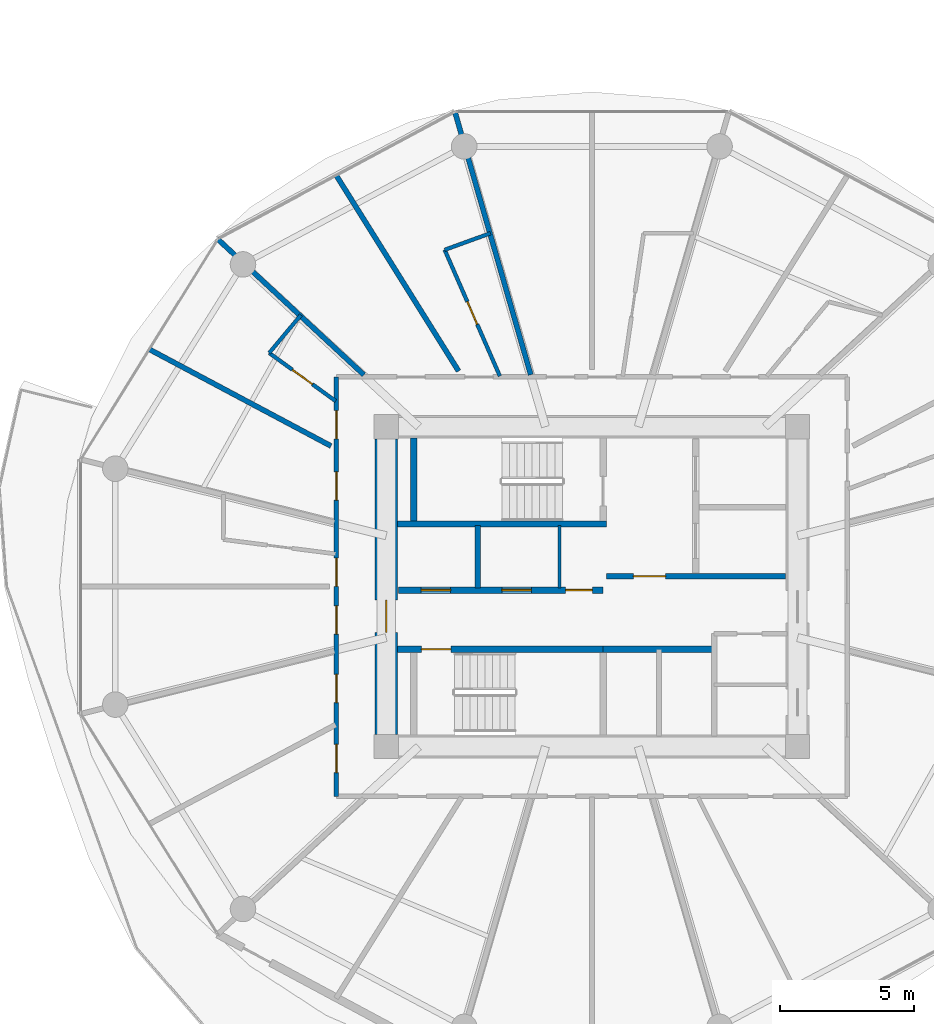
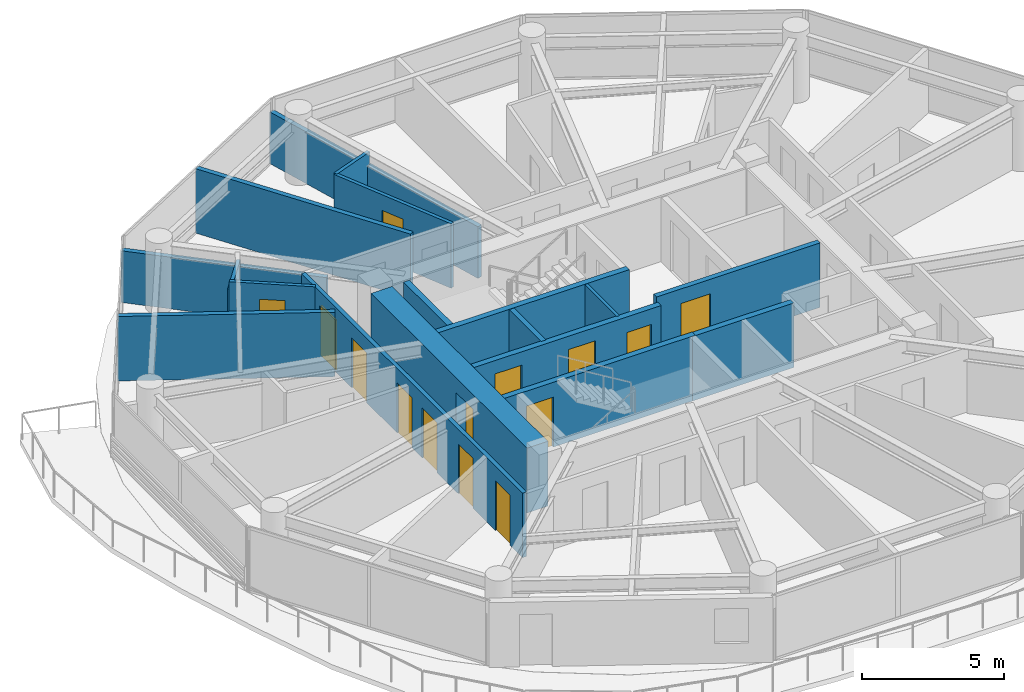
# One storey, part 17 of 28: 18 walls, 14 doors, 14 openings.
"""IFC4 building model written with IfcOpenShell, lengths in metres."""

from ifc_helpers import new_model, si_unit, direction, frame, frame_2d, origin, place, context, subcontext, project, spatial, rectangle, extrude, source, transform, mapped, material, layer, layer_set, type_object, type_shapes, element, fill, save


model = new_model("IFC4")

# Units and contexts
model_context = context("Model", 3, precision=1e-05, world=origin(), true_north=direction((0.0, 1.0)))
body_context = subcontext(model_context, "Body", "Model", "MODEL_VIEW")
ifc_project = project(units=[si_unit("LENGTHUNIT", "METRE"), si_unit("AREAUNIT", "SQUARE_METRE"), si_unit("VOLUMEUNIT", "CUBIC_METRE"), si_unit("PLANEANGLEUNIT", "RADIAN"), si_unit("MASSUNIT", "GRAM", prefix="KILO")], contexts=[model_context])

# Site, building, storey
site_placement = place(None, origin())
site = spatial("IfcSite", under=ifc_project, at=site_placement, CompositionType="ELEMENT")
building_placement = place(site_placement, origin())
building = spatial("IfcBuilding", under=site, at=building_placement, Name="Norrkilde Senior Care Towers", CompositionType="ELEMENT")
storey_placement = place(building_placement, frame((0.0, 0.0, 39.89990234375)))
storey = spatial("IfcBuildingStorey", under=building, at=storey_placement, Name="L11", CompositionType="ELEMENT", Elevation=39.89990234375)

# Wall, opening, door
ifc_material_1 = material(Name="Concrete C60/75", Category="concrete")
ifc_layer_1 = layer(ifc_material_1, 0.85009765625)
ifc_layer_set_1 = layer_set([ifc_layer_1], Name="Concrete C60/75")
wall_type_1 = type_object("IfcWallType", Name="Core Shear Wall Z1 850", PredefinedType="SHEAR", material=ifc_layer_set_1)
shared_shape_1 = source(origin(), body_context, "Body", "SweptSolid", [
    extrude(rectangle(XDim=11.0, YDim=0.85009765625, at=frame_2d((5.5, 0.0))), origin(), (0.0, 0.0, 1.0), 2.7900390625),
])
type_shapes(wall_type_1, [shared_shape_1])
wall_1_placement = place(storey_placement, frame((-35.64990234375, -5.5, 0.0), z_axis=(0.0, 0.0, 1.0), x_axis=(0.0, 1.0, 0.0)))
wall_1 = element("IfcWall", 1, at=wall_1_placement, inside=storey, type_object=wall_type_1, Name="L11 Core W West Shear Wall", PredefinedType="SHEAR", context=body_context, shape_type="MappedRepresentation", body=[
    mapped(shared_shape_1, transform((0.0, 0.0, 0.0), x_axis=(1.0, 0.0, 0.0), y_axis=(0.0, 1.0, 0.0), z_axis=(0.0, 0.0, 1.0), scale=1.0)),
])
opening_1_placement = place(wall_1_placement, frame((3.800048828125, 0.0, 0.0)))
opening_1 = element("IfcOpeningElement", 2, at=opening_1_placement, cuts=wall_1, Name="Opening D-04", PredefinedType="OPENING", context=body_context, shape_type="SweptSolid", body=[
    extrude(rectangle(XDim=1.199951171875, YDim=2.14990234375, at=frame_2d((0.60009765625, 1.074951171875))), frame((0.0, 0.43505859375, 0.0), z_axis=(0.0, -1.0, 0.0), x_axis=(1.0, 0.0, 0.0)), (0.0, 0.0, 1.0), 0.8701171875),
])
ifc_material_2 = material(Name="Galvanised Painted Steel", Category="steel")
door_type_1 = type_object("IfcDoorType", Name="Firefighting Lobby Fire Door 1200x2150", OperationType="NOTDEFINED", PredefinedType="DOOR", material=ifc_material_2)
shared_shape_2 = source(origin(), body_context, "Body", "SweptSolid", [
    extrude(rectangle(XDim=1.199951171875, YDim=2.14990234375, at=frame_2d((0.60009765625, 1.074951171875))), frame((0.0, 0.02490234375, 0.0), z_axis=(0.0, -1.0, 0.0), x_axis=(1.0, 0.0, 0.0)), (0.0, 0.0, 1.0), 0.050048828125),
])
type_shapes(door_type_1, [shared_shape_2])
door_1_placement = place(opening_1_placement, frame((1.199951171875, 0.0, 0.0), z_axis=(0.0, 0.0, 1.0), x_axis=(-1.0, 0.0, 0.0)))
door_1 = element("IfcDoor", 3, at=door_1_placement, inside=storey, type_object=door_type_1, Name="L11 Core W West Portal Door", OperationType="SINGLE_SWING_LEFT", OverallHeight=2.14990234375, OverallWidth=1.199951171875, PredefinedType="DOOR", context=body_context, shape_type="MappedRepresentation", body=[
    mapped(shared_shape_2, transform((0.0, 0.0, 0.0), x_axis=(1.0, 0.0, 0.0), y_axis=(0.0, 1.0, 0.0), z_axis=(0.0, 0.0, 1.0), scale=1.0)),
])
fill(opening_1, door_1)

# Wall
ifc_material_3 = material(Name="Concrete C45/55", Category="concrete")
ifc_layer_2 = layer(ifc_material_3, 0.239990234375)
ifc_layer_set_2 = layer_set([ifc_layer_2], Name="Concrete C45/55")
wall_type_2 = type_object("IfcWallType", Name="Shaft and Stair Enclosure Wall 240", PredefinedType="PARTITIONING", material=ifc_layer_set_2)
shared_shape_3 = source(origin(), body_context, "Body", "SweptSolid", [
    extrude(rectangle(XDim=7.76513671875, YDim=0.239990234375, at=frame_2d((3.882568359375, 0.0))), origin(), (0.0, 0.0, 1.0), 2.7900390625),
])
wall_2_placement = place(storey_placement, frame((-35.22509765625, 2.330078125, 0.0), z_axis=(0.0, 0.0, 1.0), x_axis=(1.0, 0.0, 0.0)))
element("IfcWall", 4, at=wall_2_placement, inside=storey, type_object=wall_type_2, Name="WL-INT-L11-W-ST1S", PredefinedType="PARTITIONING", context=body_context, shape_type="MappedRepresentation", body=[
    mapped(shared_shape_3, transform((0.0, 0.0, 0.0), x_axis=(1.0, 0.0, 0.0), y_axis=(0.0, 1.0, 0.0), z_axis=(0.0, 0.0, 1.0), scale=1.0)),
])

# Wall, opening, door
wall_3_placement = place(storey_placement, frame((-35.22509765625, -2.330078125, 0.0), z_axis=(0.0, 0.0, 1.0), x_axis=(1.0, 0.0, 0.0)))
wall_3 = element("IfcWall", 5, at=wall_3_placement, inside=storey, type_object=wall_type_2, Name="WL-INT-L11-W-ST2N", PredefinedType="PARTITIONING", context=body_context, shape_type="MappedRepresentation", body=[
    mapped(shared_shape_3, transform((0.0, 0.0, 0.0), x_axis=(1.0, 0.0, 0.0), y_axis=(0.0, 1.0, 0.0), z_axis=(0.0, 0.0, 1.0), scale=1.0)),
])
opening_2_placement = place(wall_3_placement, frame((0.885009765625, 0.0, 0.0)))
opening_2 = element("IfcOpeningElement", 6, at=opening_2_placement, cuts=wall_3, Name="Opening D-03", PredefinedType="OPENING", context=body_context, shape_type="SweptSolid", body=[
    extrude(rectangle(XDim=1.10009765625, YDim=2.14990234375, at=frame_2d((0.550048828125, 1.074951171875))), frame((0.0, 0.1298828125, 0.0), z_axis=(0.0, -1.0, 0.0), x_axis=(1.0, 0.0, 0.0)), (0.0, 0.0, 1.0), 0.260009765625),
])
door_type_2 = type_object("IfcDoorType", Name="Stairwell Protected Fire Door 1100x2150", OperationType="NOTDEFINED", PredefinedType="DOOR", material=ifc_material_2)
shared_shape_4 = source(origin(), body_context, "Body", "SweptSolid", [
    extrude(rectangle(XDim=1.10009765625, YDim=2.14990234375, at=frame_2d((0.550048828125, 1.074951171875))), frame((0.0, 0.02490234375, 0.0), z_axis=(0.0, -1.0, 0.0), x_axis=(1.0, 0.0, 0.0)), (0.0, 0.0, 1.0), 0.050048828125),
])
type_shapes(door_type_2, [shared_shape_4])
door_2_placement = place(opening_2_placement, frame((1.10009765625, 0.0, 0.0), z_axis=(0.0, 0.0, 1.0), x_axis=(-1.0, 0.0, 0.0)))
door_2 = element("IfcDoor", 7, at=door_2_placement, inside=storey, type_object=door_type_2, Name="L11 Stair W2 Fire Door", OperationType="SINGLE_SWING_RIGHT", OverallHeight=2.14990234375, OverallWidth=1.10009765625, PredefinedType="DOOR", context=body_context, shape_type="MappedRepresentation", body=[
    mapped(shared_shape_4, transform((0.0, 0.0, 0.0), x_axis=(1.0, 0.0, 0.0), y_axis=(0.0, 1.0, 0.0), z_axis=(0.0, 0.0, 1.0), scale=1.0)),
])
fill(opening_2, door_2)

# Wall
shared_shape_5 = source(origin(), body_context, "Body", "SweptSolid", [
    extrude(rectangle(XDim=3.074951171875, YDim=0.239990234375, at=frame_2d((1.53759765625, 0.0))), origin(), (0.0, 0.0, 1.0), 2.7900390625),
])
type_shapes(wall_type_2, [shared_shape_3, shared_shape_5])
wall_4_placement = place(storey_placement, frame((-34.6201171875, 2.449951171875, 0.0), z_axis=(0.0, 0.0, 1.0), x_axis=(0.0, 1.0, 0.0)))
element("IfcWall", 8, at=wall_4_placement, inside=storey, type_object=wall_type_2, Name="WL-INT-L11-W-ST1W", PredefinedType="PARTITIONING", context=body_context, shape_type="MappedRepresentation", body=[
    mapped(shared_shape_5, transform((0.0, 0.0, 0.0), x_axis=(1.0, 0.0, 0.0), y_axis=(0.0, 1.0, 0.0), z_axis=(0.0, 0.0, 1.0), scale=1.0)),
])

# Wall, opening, door
ifc_layer_3 = layer(ifc_material_3, 0.2099609375)
ifc_layer_set_3 = layer_set([ifc_layer_3], Name="Concrete C45/55")
wall_type_3 = type_object("IfcWallType", Name="Firefighting Lobby Wall 210", PredefinedType="PARTITIONING", material=ifc_layer_set_3)
shared_shape_6 = source(origin(), body_context, "Body", "SweptSolid", [
    extrude(rectangle(XDim=6.659912109375, YDim=0.2099609375, at=frame_2d((3.330078125, 0.0))), origin(), (0.0, 0.0, 1.0), 2.775146484375),
])
type_shapes(wall_type_3, [shared_shape_6])
wall_5_placement = place(storey_placement, frame((-27.4599609375, 0.389892578125, 0.0), z_axis=(0.0, 0.0, 1.0), x_axis=(1.0, 0.0, 0.0)))
wall_5 = element("IfcWall", 9, at=wall_5_placement, inside=storey, type_object=wall_type_3, Name="WL-INT-L11-W-FFLS", PredefinedType="PARTITIONING", context=body_context, shape_type="MappedRepresentation", body=[
    mapped(shared_shape_6, transform((0.0, 0.0, 0.0), x_axis=(1.0, 0.0, 0.0), y_axis=(0.0, 1.0, 0.0), z_axis=(0.0, 0.0, 1.0), scale=1.0)),
])
opening_3_placement = place(wall_5_placement, frame((1.0, 0.0, 0.0)))
opening_3 = element("IfcOpeningElement", 10, at=opening_3_placement, cuts=wall_5, Name="Opening D-04", PredefinedType="OPENING", context=body_context, shape_type="SweptSolid", body=[
    extrude(rectangle(XDim=1.199951171875, YDim=2.14990234375, at=frame_2d((0.60009765625, 1.074951171875))), frame((0.0, 0.114990234375, 0.0), z_axis=(0.0, -1.0, 0.0), x_axis=(1.0, 0.0, 0.0)), (0.0, 0.0, 1.0), 0.22998046875),
])
door_3_placement = place(opening_3_placement, frame((1.199951171875, 0.0, 0.0), z_axis=(0.0, 0.0, 1.0), x_axis=(-1.0, 0.0, 0.0)))
door_3 = element("IfcDoor", 11, at=door_3_placement, inside=storey, type_object=door_type_1, Name="L11 Firefighting Lobby W Door", OperationType="SINGLE_SWING_LEFT", OverallHeight=2.14990234375, OverallWidth=1.199951171875, PredefinedType="DOOR", context=body_context, shape_type="MappedRepresentation", body=[
    mapped(shared_shape_2, transform((0.0, 0.0, 0.0), x_axis=(1.0, 0.0, 0.0), y_axis=(0.0, 1.0, 0.0), z_axis=(0.0, 0.0, 1.0), scale=1.0)),
])
fill(opening_3, door_3)

# Wall, openings, doors
ifc_layer_4 = layer(ifc_material_3, 0.239990234375)
ifc_layer_set_4 = layer_set([ifc_layer_4], Name="Concrete C45/55")
wall_type_4 = type_object("IfcWallType", Name="Lift and Plant Rated Enclosure Partition 240", PredefinedType="PARTITIONING", material=ifc_layer_set_4)
shared_shape_7 = source(origin(), body_context, "Body", "SweptSolid", [
    extrude(rectangle(XDim=7.619873046875, YDim=0.239990234375, at=frame_2d((3.81005859375, 0.0))), origin(), (0.0, 0.0, 1.0), 2.775146484375),
])
wall_6_placement = place(storey_placement, frame((-35.199951171875, -0.1298828125, 0.0), z_axis=(0.0, 0.0, 1.0), x_axis=(1.0, 0.0, 0.0)))
wall_6 = element("IfcWall", 12, at=wall_6_placement, inside=storey, type_object=wall_type_4, Name="WL-INT-L11-W-PKAS", PredefinedType="PARTITIONING", context=body_context, shape_type="MappedRepresentation", body=[
    mapped(shared_shape_7, transform((0.0, 0.0, 0.0), x_axis=(1.0, 0.0, 0.0), y_axis=(0.0, 1.0, 0.0), z_axis=(0.0, 0.0, 1.0), scale=1.0)),
])
opening_4_placement = place(wall_6_placement, frame((6.219970703125, 0.0, 0.0)))
opening_4 = element("IfcOpeningElement", 13, at=opening_4_placement, cuts=wall_6, Name="Opening D-10", PredefinedType="OPENING", context=body_context, shape_type="SweptSolid", body=[
    extrude(rectangle(XDim=1.0, YDim=2.10009765625, at=frame_2d((0.5, 1.050048828125))), frame((0.0, 0.1298828125, 0.0), z_axis=(0.0, -1.0, 0.0), x_axis=(1.0, 0.0, 0.0)), (0.0, 0.0, 1.0), 0.260009765625),
])
opening_5_placement = place(wall_6_placement, frame((0.85009765625, 0.0, 0.0)))
opening_5 = element("IfcOpeningElement", 14, at=opening_5_placement, cuts=wall_6, Name="Opening LD-01", PredefinedType="OPENING", context=body_context, shape_type="SweptSolid", body=[
    extrude(rectangle(XDim=1.10009765625, YDim=2.199951171875, at=frame_2d((0.550048828125, 1.10009765625))), frame((0.0, 0.1298828125, 0.0), z_axis=(0.0, -1.0, 0.0), x_axis=(1.0, 0.0, 0.0)), (0.0, 0.0, 1.0), 0.260009765625),
])
opening_6_placement = place(wall_6_placement, frame((3.85009765625, 0.0, 0.0)))
opening_6 = element("IfcOpeningElement", 15, at=opening_6_placement, cuts=wall_6, Name="Opening LD-01", PredefinedType="OPENING", context=body_context, shape_type="SweptSolid", body=[
    extrude(rectangle(XDim=1.10009765625, YDim=2.199951171875, at=frame_2d((0.550048828125, 1.10009765625))), frame((0.0, 0.1298828125, 0.0), z_axis=(0.0, -1.0, 0.0), x_axis=(1.0, 0.0, 0.0)), (0.0, 0.0, 1.0), 0.260009765625),
])
door_type_3 = type_object("IfcDoorType", Name="Plant and Riser Rated Door 1000x2100", OperationType="NOTDEFINED", PredefinedType="DOOR", material=ifc_material_2)
shared_shape_8 = source(origin(), body_context, "Body", "SweptSolid", [
    extrude(rectangle(XDim=1.0, YDim=2.10009765625, at=frame_2d((0.5, 1.050048828125))), frame((0.0, 0.02490234375, 0.0), z_axis=(0.0, -1.0, 0.0), x_axis=(1.0, 0.0, 0.0)), (0.0, 0.0, 1.0), 0.050048828125),
])
type_shapes(door_type_3, [shared_shape_8])
door_4_placement = place(opening_4_placement, frame((1.0, 0.0, 0.0), z_axis=(0.0, 0.0, 1.0), x_axis=(-1.0, 0.0, 0.0)))
door_4 = element("IfcDoor", 16, at=door_4_placement, inside=storey, type_object=door_type_3, Name="L11 Electrical Riser W Door", OperationType="SINGLE_SWING_LEFT", OverallHeight=2.10009765625, OverallWidth=1.0, PredefinedType="DOOR", context=body_context, shape_type="MappedRepresentation", body=[
    mapped(shared_shape_8, transform((0.0, 0.0, 0.0), x_axis=(1.0, 0.0, 0.0), y_axis=(0.0, 1.0, 0.0), z_axis=(0.0, 0.0, 1.0), scale=1.0)),
])
fill(opening_4, door_4)
ifc_material_4 = material(Name="Stainless Steel", Category="steel")
door_type_4 = type_object("IfcDoorType", Name="Lift Landing Sliding Door 1100x2200", OperationType="NOTDEFINED", PredefinedType="DOOR", material=ifc_material_4)
shared_shape_9 = source(origin(), body_context, "Body", "SweptSolid", [
    extrude(rectangle(XDim=1.10009765625, YDim=2.199951171875, at=frame_2d((0.550048828125, 1.10009765625))), frame((0.0, 0.02490234375, 0.0), z_axis=(0.0, -1.0, 0.0), x_axis=(1.0, 0.0, 0.0)), (0.0, 0.0, 1.0), 0.050048828125),
])
type_shapes(door_type_4, [shared_shape_9])
door_5_placement = place(opening_5_placement, origin())
door_5 = element("IfcDoor", 17, at=door_5_placement, inside=storey, type_object=door_type_4, Name="L11 Passenger Lift W1 Landing Door", OperationType="SLIDING_TO_LEFT", OverallHeight=2.199951171875, OverallWidth=1.10009765625, PredefinedType="DOOR", context=body_context, shape_type="MappedRepresentation", body=[
    mapped(shared_shape_9, transform((0.0, 0.0, 0.0), x_axis=(1.0, 0.0, 0.0), y_axis=(0.0, 1.0, 0.0), z_axis=(0.0, 0.0, 1.0), scale=1.0)),
])
fill(opening_5, door_5)
door_6_placement = place(opening_6_placement, origin())
door_6 = element("IfcDoor", 18, at=door_6_placement, inside=storey, type_object=door_type_4, Name="L11 Passenger Lift W2 Landing Door", OperationType="SLIDING_TO_RIGHT", OverallHeight=2.199951171875, OverallWidth=1.10009765625, PredefinedType="DOOR", context=body_context, shape_type="MappedRepresentation", body=[
    mapped(shared_shape_9, transform((0.0, 0.0, 0.0), x_axis=(1.0, 0.0, 0.0), y_axis=(0.0, 1.0, 0.0), z_axis=(0.0, 0.0, 1.0), scale=1.0)),
])
fill(opening_6, door_6)

# Walls
ifc_material_5 = material(Name="Gypsum Acoustic Board")
ifc_layer_5 = layer(ifc_material_5, 0.114990234375)
ifc_layer_set_5 = layer_set([ifc_layer_5], Name="Gypsum Acoustic Board")
wall_type_5 = type_object("IfcWallType", Name="Internal Room Partition 115", PredefinedType="PARTITIONING", material=ifc_layer_set_5)
shared_shape_10 = source(origin(), body_context, "Body", "SweptSolid", [
    extrude(rectangle(XDim=2.330078125, YDim=0.114990234375, at=frame_2d((1.1650390625, 0.0))), origin(), (0.0, 0.0, 1.0), 2.775146484375),
])
type_shapes(wall_type_5, [shared_shape_10])
wall_7_placement = place(storey_placement, frame((-29.2099609375, -0.050048828125, 0.0), z_axis=(0.0, 0.0, 1.0), x_axis=(0.0, 1.0, 0.0)))
element("IfcWall", 19, at=wall_7_placement, inside=storey, type_object=wall_type_5, Name="WL-INT-L11-W-RISW", PredefinedType="PARTITIONING", context=body_context, shape_type="MappedRepresentation", body=[
    mapped(shared_shape_10, transform((0.0, 0.0, 0.0), x_axis=(1.0, 0.0, 0.0), y_axis=(0.0, 1.0, 0.0), z_axis=(0.0, 0.0, 1.0), scale=1.0)),
])
ifc_layer_6 = layer(ifc_material_3, 0.199951171875)
ifc_layer_set_6 = layer_set([ifc_layer_6], Name="Concrete C45/55")
wall_type_6 = type_object("IfcWallType", Name="Shaft Division and Plant Partition 200", PredefinedType="PARTITIONING", material=ifc_layer_set_6)
shared_shape_11 = source(origin(), body_context, "Body", "SweptSolid", [
    extrude(rectangle(XDim=2.330078125, YDim=0.199951171875, at=frame_2d((1.1650390625, 0.0))), origin(), (0.0, 0.0, 1.0), 2.775146484375),
])
type_shapes(wall_type_6, [shared_shape_11])
wall_8_placement = place(storey_placement, frame((-32.25, -0.050048828125, 0.0), z_axis=(0.0, 0.0, 1.0), x_axis=(0.0, 1.0, 0.0)))
element("IfcWall", 20, at=wall_8_placement, inside=storey, type_object=wall_type_6, Name="WL-INT-L11-W-PL12", PredefinedType="PARTITIONING", context=body_context, shape_type="MappedRepresentation", body=[
    mapped(shared_shape_11, transform((0.0, 0.0, 0.0), x_axis=(1.0, 0.0, 0.0), y_axis=(0.0, 1.0, 0.0), z_axis=(0.0, 0.0, 1.0), scale=1.0)),
])
shared_shape_12 = source(origin(), body_context, "Body", "SweptSolid", [
    extrude(rectangle(XDim=4.130126953125, YDim=0.239990234375, at=frame_2d((2.06494140625, 0.0))), origin(), (0.0, 0.0, 1.0), 2.775146484375),
])
type_shapes(wall_type_4, [shared_shape_7, shared_shape_12])
wall_9_placement = place(storey_placement, frame((-27.580078125, -2.330078125, 0.0), z_axis=(0.0, 0.0, 1.0), x_axis=(1.0, 0.0, 0.0)))
element("IfcWall", 21, at=wall_9_placement, inside=storey, type_object=wall_type_4, Name="WL-INT-L11-W-PKBN", PredefinedType="PARTITIONING", context=body_context, shape_type="MappedRepresentation", body=[
    mapped(shared_shape_12, transform((0.0, 0.0, 0.0), x_axis=(1.0, 0.0, 0.0), y_axis=(0.0, 1.0, 0.0), z_axis=(0.0, 0.0, 1.0), scale=1.0)),
])

# Wall, openings, doors
ifc_layer_7 = layer(ifc_material_5, 0.1650390625)
ifc_layer_set_7 = layer_set([ifc_layer_7], Name="Gypsum Acoustic Board")
wall_type_7 = type_object("IfcWallType", Name="Corridor Rated Partition 165", PredefinedType="PARTITIONING", material=ifc_layer_set_7)
shared_shape_13 = source(origin(), body_context, "Body", "SweptSolid", [
    extrude(rectangle(XDim=15.60009765625, YDim=0.1650390625, at=frame_2d((7.800048828125, 0.0))), origin(), (0.0, 0.0, 1.0), 2.775146484375),
])
type_shapes(wall_type_7, [shared_shape_13])
wall_10_placement = place(storey_placement, frame((-37.5, -7.800048828125, 0.0), z_axis=(0.0, 0.0, 1.0), x_axis=(0.0, 1.0, 0.0)))
wall_10 = element("IfcWall", 22, at=wall_10_placement, inside=storey, type_object=wall_type_7, Name="WL-INT-L11-W-CRW-W-0", PredefinedType="PARTITIONING", context=body_context, shape_type="MappedRepresentation", body=[
    mapped(shared_shape_13, transform((0.0, 0.0, 0.0), x_axis=(1.0, 0.0, 0.0), y_axis=(0.0, 1.0, 0.0), z_axis=(0.0, 0.0, 1.0), scale=1.0)),
])
opening_7_placement = place(wall_10_placement, frame((13.293212890625, 0.0, 0.0)))
opening_7 = element("IfcOpeningElement", 23, at=opening_7_placement, cuts=wall_10, Name="Opening D-06", PredefinedType="OPENING", context=body_context, shape_type="SweptSolid", body=[
    extrude(rectangle(XDim=1.050048828125, YDim=2.14990234375, at=frame_2d((0.52490234375, 1.074951171875))), frame((0.0, 0.092529296875, 0.0), z_axis=(0.0, -1.0, 0.0), x_axis=(1.0, 0.0, 0.0)), (0.0, 0.0, 1.0), 0.18505859375),
])
opening_8_placement = place(wall_10_placement, frame((11.017822265625, 0.0, 0.0)))
opening_8 = element("IfcOpeningElement", 24, at=opening_8_placement, cuts=wall_10, Name="Opening D-06", PredefinedType="OPENING", context=body_context, shape_type="SweptSolid", body=[
    extrude(rectangle(XDim=1.050048828125, YDim=2.14990234375, at=frame_2d((0.52490234375, 1.074951171875))), frame((0.0, 0.092529296875, 0.0), z_axis=(0.0, -1.0, 0.0), x_axis=(1.0, 0.0, 0.0)), (0.0, 0.0, 1.0), 0.18505859375),
])
opening_9_placement = place(wall_10_placement, frame((7.811767578125, 0.0, 0.0)))
opening_9 = element("IfcOpeningElement", 25, at=opening_9_placement, cuts=wall_10, Name="Opening D-06", PredefinedType="OPENING", context=body_context, shape_type="SweptSolid", body=[
    extrude(rectangle(XDim=1.050048828125, YDim=2.14990234375, at=frame_2d((0.52490234375, 1.074951171875))), frame((0.0, 0.092529296875, 0.0), z_axis=(0.0, -1.0, 0.0), x_axis=(1.0, 0.0, 0.0)), (0.0, 0.0, 1.0), 0.18505859375),
])
opening_10_placement = place(wall_10_placement, frame((6.03466796875, 0.0, 0.0)))
opening_10 = element("IfcOpeningElement", 26, at=opening_10_placement, cuts=wall_10, Name="Opening D-06", PredefinedType="OPENING", context=body_context, shape_type="SweptSolid", body=[
    extrude(rectangle(XDim=1.050048828125, YDim=2.14990234375, at=frame_2d((0.52490234375, 1.074951171875))), frame((0.0, 0.092529296875, 0.0), z_axis=(0.0, -1.0, 0.0), x_axis=(1.0, 0.0, 0.0)), (0.0, 0.0, 1.0), 0.18505859375),
])
opening_11_placement = place(wall_10_placement, frame((3.489013671875, 0.0, 0.0)))
opening_11 = element("IfcOpeningElement", 27, at=opening_11_placement, cuts=wall_10, Name="Opening D-06", PredefinedType="OPENING", context=body_context, shape_type="SweptSolid", body=[
    extrude(rectangle(XDim=1.050048828125, YDim=2.14990234375, at=frame_2d((0.52490234375, 1.074951171875))), frame((0.0, 0.092529296875, 0.0), z_axis=(0.0, -1.0, 0.0), x_axis=(1.0, 0.0, 0.0)), (0.0, 0.0, 1.0), 0.18505859375),
])
opening_12_placement = place(wall_10_placement, frame((0.881591796875, 0.0, 0.0)))
opening_12 = element("IfcOpeningElement", 28, at=opening_12_placement, cuts=wall_10, Name="Opening D-06", PredefinedType="OPENING", context=body_context, shape_type="SweptSolid", body=[
    extrude(rectangle(XDim=1.050048828125, YDim=2.14990234375, at=frame_2d((0.52490234375, 1.074951171875))), frame((0.0, 0.092529296875, 0.0), z_axis=(0.0, -1.0, 0.0), x_axis=(1.0, 0.0, 0.0)), (0.0, 0.0, 1.0), 0.18505859375),
])
ifc_material_6 = material(Name="Nordic Ash Timber", Category="wood")
door_type_5 = type_object("IfcDoorType", Name="Apartment Entrance Fire Door 1050x2150", OperationType="NOTDEFINED", PredefinedType="DOOR", material=ifc_material_6)
shared_shape_14 = source(origin(), body_context, "Body", "SweptSolid", [
    extrude(rectangle(XDim=1.050048828125, YDim=2.14990234375, at=frame_2d((0.52490234375, 1.074951171875))), frame((0.0, 0.02490234375, 0.0), z_axis=(0.0, -1.0, 0.0), x_axis=(1.0, 0.0, 0.0)), (0.0, 0.0, 1.0), 0.050048828125),
])
type_shapes(door_type_5, [shared_shape_14])
door_7_placement = place(opening_7_placement, frame((1.050048828125, 0.0, 0.0), z_axis=(0.0, 0.0, 1.0), x_axis=(-1.0, 0.0, 0.0)))
door_7 = element("IfcDoor", 29, at=door_7_placement, inside=storey, type_object=door_type_5, Name="L11 Care Suite 1104A Entrance Door", OperationType="SINGLE_SWING_RIGHT", OverallHeight=2.14990234375, OverallWidth=1.050048828125, PredefinedType="DOOR", context=body_context, shape_type="MappedRepresentation", body=[
    mapped(shared_shape_14, transform((0.0, 0.0, 0.0), x_axis=(1.0, 0.0, 0.0), y_axis=(0.0, 1.0, 0.0), z_axis=(0.0, 0.0, 1.0), scale=1.0)),
])
fill(opening_7, door_7)
door_8_placement = place(opening_8_placement, frame((1.050048828125, 0.0, 0.0), z_axis=(0.0, 0.0, 1.0), x_axis=(-1.0, 0.0, 0.0)))
door_8 = element("IfcDoor", 30, at=door_8_placement, inside=storey, type_object=door_type_5, Name="L11 Therapy Day Lounge 04 Door", OperationType="SINGLE_SWING_RIGHT", OverallHeight=2.14990234375, OverallWidth=1.050048828125, PredefinedType="DOOR", context=body_context, shape_type="MappedRepresentation", body=[
    mapped(shared_shape_14, transform((0.0, 0.0, 0.0), x_axis=(1.0, 0.0, 0.0), y_axis=(0.0, 1.0, 0.0), z_axis=(0.0, 0.0, 1.0), scale=1.0)),
])
fill(opening_8, door_8)
door_9_placement = place(opening_9_placement, frame((1.050048828125, 0.0, 0.0), z_axis=(0.0, 0.0, 1.0), x_axis=(-1.0, 0.0, 0.0)))
door_9 = element("IfcDoor", 31, at=door_9_placement, inside=storey, type_object=door_type_5, Name="L11 Care Suite 1105A Entrance Door", OperationType="SINGLE_SWING_LEFT", OverallHeight=2.14990234375, OverallWidth=1.050048828125, PredefinedType="DOOR", context=body_context, shape_type="MappedRepresentation", body=[
    mapped(shared_shape_14, transform((0.0, 0.0, 0.0), x_axis=(1.0, 0.0, 0.0), y_axis=(0.0, 1.0, 0.0), z_axis=(0.0, 0.0, 1.0), scale=1.0)),
])
fill(opening_9, door_9)
door_10_placement = place(opening_10_placement, frame((1.050048828125, 0.0, 0.0), z_axis=(0.0, 0.0, 1.0), x_axis=(-1.0, 0.0, 0.0)))
door_10 = element("IfcDoor", 32, at=door_10_placement, inside=storey, type_object=door_type_5, Name="L11 Therapy Day Lounge 05 Door", OperationType="SINGLE_SWING_LEFT", OverallHeight=2.14990234375, OverallWidth=1.050048828125, PredefinedType="DOOR", context=body_context, shape_type="MappedRepresentation", body=[
    mapped(shared_shape_14, transform((0.0, 0.0, 0.0), x_axis=(1.0, 0.0, 0.0), y_axis=(0.0, 1.0, 0.0), z_axis=(0.0, 0.0, 1.0), scale=1.0)),
])
fill(opening_10, door_10)
door_11_placement = place(opening_11_placement, frame((1.050048828125, 0.0, 0.0), z_axis=(0.0, 0.0, 1.0), x_axis=(-1.0, 0.0, 0.0)))
door_11 = element("IfcDoor", 33, at=door_11_placement, inside=storey, type_object=door_type_5, Name="L11 Physiotherapy Clinic 6A Door", OperationType="SINGLE_SWING_LEFT", OverallHeight=2.14990234375, OverallWidth=1.050048828125, PredefinedType="DOOR", context=body_context, shape_type="MappedRepresentation", body=[
    mapped(shared_shape_14, transform((0.0, 0.0, 0.0), x_axis=(1.0, 0.0, 0.0), y_axis=(0.0, 1.0, 0.0), z_axis=(0.0, 0.0, 1.0), scale=1.0)),
])
fill(opening_11, door_11)
door_12_placement = place(opening_12_placement, frame((1.050048828125, 0.0, 0.0), z_axis=(0.0, 0.0, 1.0), x_axis=(-1.0, 0.0, 0.0)))
door_12 = element("IfcDoor", 34, at=door_12_placement, inside=storey, type_object=door_type_5, Name="L11 Assessment Clinic 6B Door", OperationType="SINGLE_SWING_RIGHT", OverallHeight=2.14990234375, OverallWidth=1.050048828125, PredefinedType="DOOR", context=body_context, shape_type="MappedRepresentation", body=[
    mapped(shared_shape_14, transform((0.0, 0.0, 0.0), x_axis=(1.0, 0.0, 0.0), y_axis=(0.0, 1.0, 0.0), z_axis=(0.0, 0.0, 1.0), scale=1.0)),
])
fill(opening_12, door_12)

# Walls
ifc_layer_8 = layer(ifc_material_5, 0.18994140625)
ifc_layer_set_8 = layer_set([ifc_layer_8], Name="Gypsum Acoustic Board")
wall_type_8 = type_object("IfcWallType", Name="Unit Demising Acoustic Wall 190", PredefinedType="PARTITIONING", material=ifc_layer_set_8)
shared_shape_15 = source(origin(), body_context, "Body", "SweptSolid", [
    extrude(rectangle(XDim=7.4345703125, YDim=0.18994140625, at=frame_2d((3.71728515625, 0.0))), origin(), (0.0, 0.0, 1.0), 2.22509765625),
])
wall_11_placement = place(storey_placement, frame((-36.48291015625, 7.8798828125, 0.0), z_axis=(0.0, 0.0, 1.0), x_axis=(-0.732651956848, 0.680603489652, 0.0)))
element("IfcWall", 35, at=wall_11_placement, inside=storey, type_object=wall_type_8, Name="WL-INT-L11-W-DEM-04-0", PredefinedType="PARTITIONING", context=body_context, shape_type="MappedRepresentation", body=[
    mapped(shared_shape_15, transform((0.0, 0.0, 0.0), x_axis=(1.0, 0.0, 0.0), y_axis=(0.0, 1.0, 0.0), z_axis=(0.0, 0.0, 1.0), scale=1.0)),
])
shared_shape_16 = source(origin(), body_context, "Body", "SweptSolid", [
    extrude(rectangle(XDim=10.196044921875, YDim=0.18994140625, at=frame_2d((5.09814453125, 0.0))), origin(), (0.0, 0.0, 1.0), 2.22509765625),
])
wall_12_placement = place(storey_placement, frame((-30.27294921875, 7.8798828125, 0.0), z_axis=(0.0, 0.0, 1.0), x_axis=(-0.277136420347, 0.960830580549, 0.0)))
element("IfcWall", 36, at=wall_12_placement, inside=storey, type_object=wall_type_8, Name="WL-INT-L11-W-DEM-03-0", PredefinedType="PARTITIONING", context=body_context, shape_type="MappedRepresentation", body=[
    mapped(shared_shape_16, transform((0.0, 0.0, 0.0), x_axis=(1.0, 0.0, 0.0), y_axis=(0.0, 1.0, 0.0), z_axis=(0.0, 0.0, 1.0), scale=1.0)),
])
shared_shape_17 = source(origin(), body_context, "Body", "SweptSolid", [
    extrude(rectangle(XDim=8.59814453125, YDim=0.18994140625, at=frame_2d((4.299072265625, 0.0))), origin(), (0.0, 0.0, 1.0), 2.775146484375),
])
wall_13_placement = place(storey_placement, frame((-32.95703125, 8.017333984375, 0.0), z_axis=(0.0, 0.0, 1.0), x_axis=(-0.530039776395, 0.847972779893, 0.0)))
element("IfcWall", 37, at=wall_13_placement, inside=storey, type_object=wall_type_8, Name="WL-INT-L11-W-CMID-03", PredefinedType="PARTITIONING", context=body_context, shape_type="MappedRepresentation", body=[
    mapped(shared_shape_17, transform((0.0, 0.0, 0.0), x_axis=(1.0, 0.0, 0.0), y_axis=(0.0, 1.0, 0.0), z_axis=(0.0, 0.0, 1.0), scale=1.0)),
])
shared_shape_18 = source(origin(), body_context, "Body", "SweptSolid", [
    extrude(rectangle(XDim=7.6767578125, YDim=0.18994140625, at=frame_2d((3.83837890625, 0.0))), origin(), (0.0, 0.0, 1.0), 2.775146484375),
])
type_shapes(wall_type_8, [shared_shape_15, shared_shape_16, shared_shape_17, shared_shape_18])
wall_14_placement = place(storey_placement, frame((-37.703125, 5.23095703125, 0.0), z_axis=(0.0, 0.0, 1.0), x_axis=(-0.882725057546, 0.469889851753, 0.0)))
element("IfcWall", 38, at=wall_14_placement, inside=storey, type_object=wall_type_8, Name="WL-INT-L11-W-CMID-04", PredefinedType="PARTITIONING", context=body_context, shape_type="MappedRepresentation", body=[
    mapped(shared_shape_18, transform((0.0, 0.0, 0.0), x_axis=(1.0, 0.0, 0.0), y_axis=(0.0, 1.0, 0.0), z_axis=(0.0, 0.0, 1.0), scale=1.0)),
])

# Wall, opening, door
ifc_layer_9 = layer(ifc_material_5, 0.139892578125)
ifc_layer_set_9 = layer_set([ifc_layer_9], Name="Gypsum Acoustic Board")
wall_type_9 = type_object("IfcWallType", Name="En-suite Wet Room Wall 140", PredefinedType="PARTITIONING", material=ifc_layer_set_9)
shared_shape_19 = source(origin(), body_context, "Body", "SweptSolid", [
    extrude(rectangle(XDim=5.125732421875, YDim=0.139892578125, at=frame_2d((2.56298828125, 0.0))), origin(), (0.0, 0.0, 1.0), 2.775146484375),
])
wall_15_placement = place(storey_placement, frame((-31.421875, 7.830078125, 0.0), z_axis=(0.0, 0.0, 1.0), x_axis=(-0.400473994842, 0.916308124735, 0.0)))
wall_15 = element("IfcWall", 39, at=wall_15_placement, inside=storey, type_object=wall_type_9, Name="WL-INT-L11-W-ES-03A", PredefinedType="PARTITIONING", context=body_context, shape_type="MappedRepresentation", body=[
    mapped(shared_shape_19, transform((0.0, 0.0, 0.0), x_axis=(1.0, 0.0, 0.0), y_axis=(0.0, 1.0, 0.0), z_axis=(0.0, 0.0, 1.0), scale=1.0)),
])
opening_13_placement = place(wall_15_placement, frame((2.102783203125, 0.0, 0.0)))
opening_13 = element("IfcOpeningElement", 40, at=opening_13_placement, cuts=wall_15, Name="Opening D-08", PredefinedType="OPENING", context=body_context, shape_type="SweptSolid", body=[
    extrude(rectangle(XDim=0.919921875, YDim=2.10009765625, at=frame_2d((0.4599609375, 1.050048828125))), frame((0.0, 0.079833984375, 0.0), z_axis=(0.0, -1.0, 0.0), x_axis=(1.0, 0.0, 0.0)), (0.0, 0.0, 1.0), 0.159912109375),
])
door_type_6 = type_object("IfcDoorType", Name="Accessible Wet Room Door 920x2100", OperationType="NOTDEFINED", PredefinedType="DOOR", material=ifc_material_6)
shared_shape_20 = source(origin(), body_context, "Body", "SweptSolid", [
    extrude(rectangle(XDim=0.919921875, YDim=2.10009765625, at=frame_2d((0.4599609375, 1.050048828125))), frame((0.0, 0.02490234375, 0.0), z_axis=(0.0, -1.0, 0.0), x_axis=(1.0, 0.0, 0.0)), (0.0, 0.0, 1.0), 0.050048828125),
])
type_shapes(door_type_6, [shared_shape_20])
door_13_placement = place(opening_13_placement, origin())
door_13 = element("IfcDoor", 41, at=door_13_placement, inside=storey, type_object=door_type_6, Name="L11 Care Suite 1103A Bathroom Door", OperationType="SINGLE_SWING_RIGHT", OverallHeight=2.10009765625, OverallWidth=0.919921875, PredefinedType="DOOR", context=body_context, shape_type="MappedRepresentation", body=[
    mapped(shared_shape_20, transform((0.0, 0.0, 0.0), x_axis=(1.0, 0.0, 0.0), y_axis=(0.0, 1.0, 0.0), z_axis=(0.0, 0.0, 1.0), scale=1.0)),
])
fill(opening_13, door_13)

# Wall
shared_shape_21 = source(origin(), body_context, "Body", "SweptSolid", [
    extrude(rectangle(XDim=1.811279296875, YDim=0.139892578125, at=frame_2d((0.90576171875, 0.0))), origin(), (0.0, 0.0, 1.0), 2.775146484375),
])
wall_16_placement = place(storey_placement, frame((-33.474609375, 12.52685546875, 0.0), z_axis=(0.0, 0.0, 1.0), x_axis=(0.940009682452, 0.341147764021, 0.0)))
element("IfcWall", 42, at=wall_16_placement, inside=storey, type_object=wall_type_9, Name="WL-INT-L11-W-EF-03A", PredefinedType="PARTITIONING", context=body_context, shape_type="MappedRepresentation", body=[
    mapped(shared_shape_21, transform((0.0, 0.0, 0.0), x_axis=(1.0, 0.0, 0.0), y_axis=(0.0, 1.0, 0.0), z_axis=(0.0, 0.0, 1.0), scale=1.0)),
])

# Wall, opening, door
shared_shape_22 = source(origin(), body_context, "Body", "SweptSolid", [
    extrude(rectangle(XDim=3.050537109375, YDim=0.139892578125, at=frame_2d((1.525390625, 0.0))), origin(), (0.0, 0.0, 1.0), 2.775146484375),
])
wall_17_placement = place(storey_placement, frame((-37.530029296875, 6.902587890625, 0.0), z_axis=(0.0, 0.0, 1.0), x_axis=(-0.809849031404, 0.586638343729, 0.0)))
wall_17 = element("IfcWall", 43, at=wall_17_placement, inside=storey, type_object=wall_type_9, Name="WL-INT-L11-W-ES-04A", PredefinedType="PARTITIONING", context=body_context, shape_type="MappedRepresentation", body=[
    mapped(shared_shape_22, transform((0.0, 0.0, 0.0), x_axis=(1.0, 0.0, 0.0), y_axis=(0.0, 1.0, 0.0), z_axis=(0.0, 0.0, 1.0), scale=1.0)),
])
opening_14_placement = place(wall_17_placement, frame((1.065185546875, 0.0, 0.0)))
opening_14 = element("IfcOpeningElement", 44, at=opening_14_placement, cuts=wall_17, Name="Opening D-08", PredefinedType="OPENING", context=body_context, shape_type="SweptSolid", body=[
    extrude(rectangle(XDim=0.919921875, YDim=2.10009765625, at=frame_2d((0.4599609375, 1.050048828125))), frame((0.0, 0.079833984375, 0.0), z_axis=(0.0, -1.0, 0.0), x_axis=(1.0, 0.0, 0.0)), (0.0, 0.0, 1.0), 0.159912109375),
])
door_14_placement = place(opening_14_placement, origin())
door_14 = element("IfcDoor", 45, at=door_14_placement, inside=storey, type_object=door_type_6, Name="L11 Care Suite 1104A Bathroom Door", OperationType="SINGLE_SWING_LEFT", OverallHeight=2.10009765625, OverallWidth=0.919921875, PredefinedType="DOOR", context=body_context, shape_type="MappedRepresentation", body=[
    mapped(shared_shape_20, transform((0.0, 0.0, 0.0), x_axis=(1.0, 0.0, 0.0), y_axis=(0.0, 1.0, 0.0), z_axis=(0.0, 0.0, 1.0), scale=1.0)),
])
fill(opening_14, door_14)

# Wall
shared_shape_23 = source(origin(), body_context, "Body", "SweptSolid", [
    extrude(rectangle(XDim=1.840087890625, YDim=0.139892578125, at=frame_2d((0.919921875, 0.0))), origin(), (0.0, 0.0, 1.0), 2.4150390625),
])
type_shapes(wall_type_9, [shared_shape_19, shared_shape_21, shared_shape_22, shared_shape_23])
wall_18_placement = place(storey_placement, frame((-40.00048828125, 8.692138671875, 0.0), z_axis=(0.0, 0.0, 1.0), x_axis=(0.641410397049, 0.767197955262, 0.0)))
element("IfcWall", 46, at=wall_18_placement, inside=storey, type_object=wall_type_9, Name="WL-INT-L11-W-EF-04A", PredefinedType="PARTITIONING", context=body_context, shape_type="MappedRepresentation", body=[
    mapped(shared_shape_23, transform((0.0, 0.0, 0.0), x_axis=(1.0, 0.0, 0.0), y_axis=(0.0, 1.0, 0.0), z_axis=(0.0, 0.0, 1.0), scale=1.0)),
])

save(model, "model.ifc")
